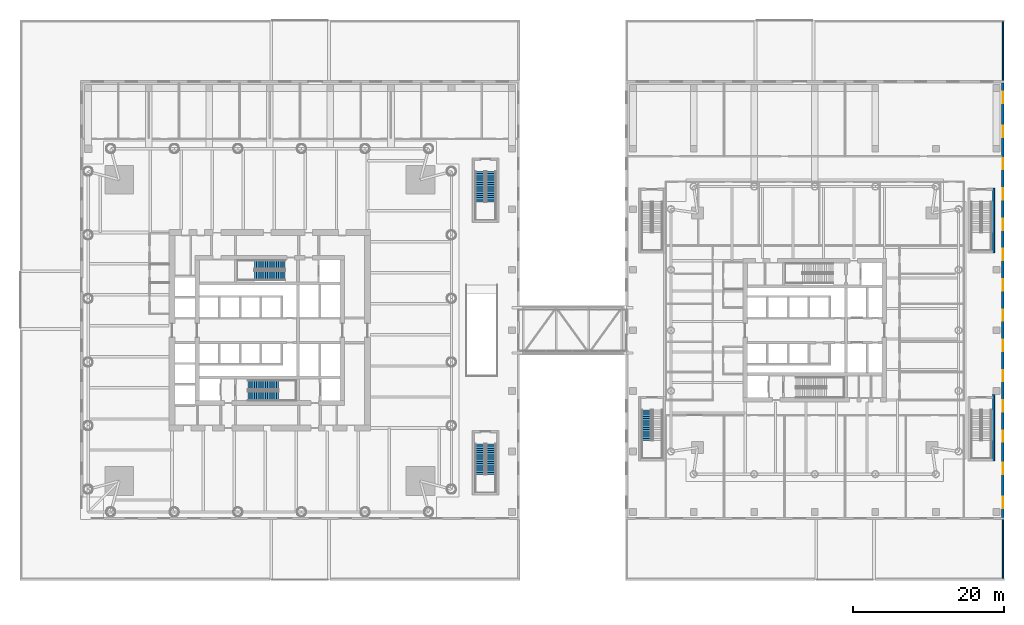
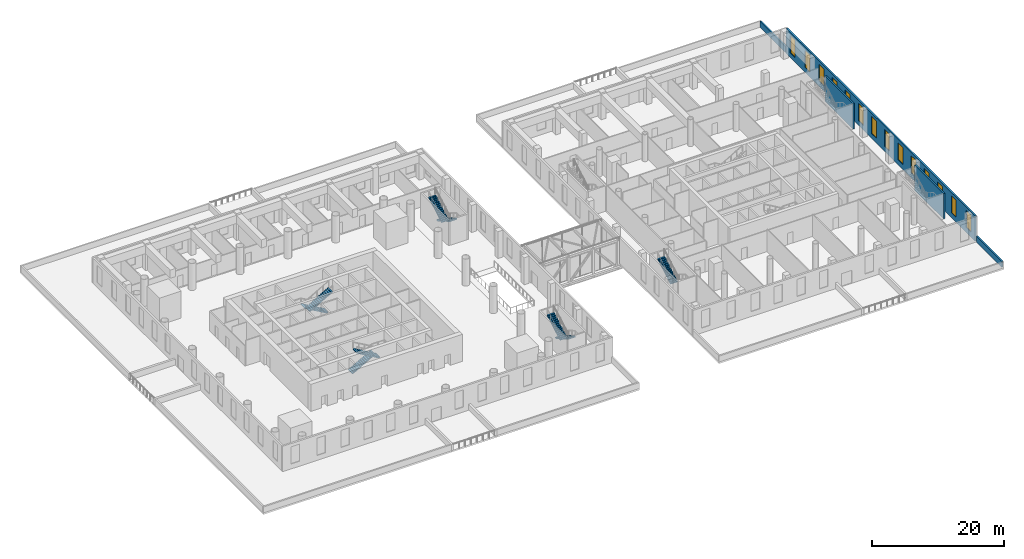
# One storey, part 19 of 23: 14 windows, 9 stair flights, 5 walls, 14 openings, 5 elements without a shape of their own.
"""IFC4 building model written with IfcOpenShell, lengths in metres."""

from ifc_helpers import new_model, si_unit, direction, frame, frame_2d, origin, place, context, subcontext, project, spatial, polyline, rectangle, outline, extrude, material, layer, layer_set, type_object, element, fill, aggregate, save


model = new_model("IFC4")

# Units and contexts
model_context = context("Model", 3, precision=1e-05, world=origin(), true_north=direction((0.0, 1.0)))
body_context = subcontext(model_context, "Body", "Model", "MODEL_VIEW")
ifc_project = project(units=[si_unit("LENGTHUNIT", "METRE"), si_unit("AREAUNIT", "SQUARE_METRE"), si_unit("VOLUMEUNIT", "CUBIC_METRE"), si_unit("PLANEANGLEUNIT", "RADIAN"), si_unit("MASSUNIT", "GRAM", prefix="KILO")], contexts=[model_context])

# Site, building, storey
site_placement = place(None, origin())
site = spatial("IfcSite", under=ifc_project, at=site_placement, CompositionType="ELEMENT")
building_placement = place(site_placement, origin())
building = spatial("IfcBuilding", under=site, at=building_placement, Name="Ostroluk Exchange", CompositionType="ELEMENT")
storey_placement = place(building_placement, frame((0.0, 0.0, 11.0)))
storey = spatial("IfcBuildingStorey", under=building, at=storey_placement, Name="L02", CompositionType="ELEMENT", Elevation=11.0)

# Walls
ifc_material_1 = material(Name="Concrete blockwork", Category="masonry")
ifc_layer_1 = layer(ifc_material_1, 0.25)
ifc_layer_set_1 = layer_set([ifc_layer_1], Name="Blockwork stair enclosure wall 250")
wall_type_1 = type_object("IfcWallType", Name="Blockwork stair enclosure wall 250", PredefinedType="SOLIDWALL", material=ifc_layer_set_1)
wall_1_placement = place(storey_placement, frame((140.625, 28.75, 0.0), z_axis=(0.0, 0.0, 1.0), x_axis=(0.0, 1.0, 0.0)))
element("IfcWall", 1, at=wall_1_placement, inside=storey, type_object=wall_type_1, Name="Stair PS7 enclosure wall", PredefinedType="SOLIDWALL", context=body_context, shape_type="SweptSolid", body=[
    extrude(rectangle(XDim=8.800048828125, YDim=0.25, at=frame_2d((4.39990234375, 0.0))), origin(), (0.0, 0.0, 1.0), 4.699951171875),
])
wall_2_placement = place(storey_placement, frame((140.625, 56.25, 0.0), z_axis=(0.0, 0.0, 1.0), x_axis=(0.0, 1.0, 0.0)))
element("IfcWall", 2, at=wall_2_placement, inside=storey, type_object=wall_type_1, Name="Stair PS8 enclosure wall", PredefinedType="SOLIDWALL", context=body_context, shape_type="SweptSolid", body=[
    extrude(rectangle(XDim=8.5, YDim=0.25, at=frame_2d((4.25, 0.0))), origin(), (0.0, 0.0, 1.0), 4.699951171875),
])
ifc_material_2 = material(Name="Limestone", Category="masonry")
ifc_layer_2 = layer(ifc_material_2, 0.25)
ifc_layer_set_2 = layer_set([ifc_layer_2], Name="Green roof parapet 250")
wall_type_2 = type_object("IfcWallType", Name="Green roof parapet 250", PredefinedType="PARAPET", material=ifc_layer_set_2)
for number, where, z_axis, x_axis, name in (
    (3, (141.875, 13.25, 0.0), (0.0, 0.0, 1.0), (0.0, 1.0, 0.0), "Green roof parapet L02 2"),
    (4, (141.875, 79.010009765625, 0.0), (0.0, 0.0, 1.0), (0.0, 1.0, 0.0), "Green roof parapet L02 2"),
):
    element("IfcWall", number, at=place(storey_placement, frame(where, z_axis=z_axis, x_axis=x_axis)), inside=storey, type_object=wall_type_2, Name=name, PredefinedType="PARAPET", context=body_context, shape_type="SweptSolid", body=[
        extrude(rectangle(XDim=7.739990234375, YDim=0.25, at=frame_2d((3.8701171875, 0.0))), origin(), (0.0, 0.0, 1.0), 1.10009765625),
    ])

# Wall, openings, windows
ifc_material_3 = material(Name="Limestone", Category="masonry")
ifc_layer_3 = layer(ifc_material_3, 0.300048828125)
ifc_layer_set_3 = layer_set([ifc_layer_3], Name="Limestone facade wall 300")
wall_type_3 = type_object("IfcWallType", Name="Limestone facade wall 300", PredefinedType="SOLIDWALL", material=ifc_layer_set_3)
wall_3_placement = place(storey_placement, frame((141.85009765625, 21.300048828125, 0.0), z_axis=(0.0, 0.0, 1.0), x_axis=(0.0, 1.0, 0.0)))
wall_3 = element("IfcWall", 5, at=wall_3_placement, inside=storey, type_object=wall_type_3, Name="Podium east E wall L02 1a", PredefinedType="SOLIDWALL", context=body_context, shape_type="SweptSolid", body=[
    extrude(rectangle(XDim=57.39990234375, YDim=0.300048828125, at=frame_2d((28.699951171875, 0.0))), origin(), (0.0, 0.0, 1.0), 4.699951171875),
])
opening_1_placement = place(wall_3_placement, frame((1.199951171875, 0.0, 0.89990234375)))
opening_1 = element("IfcOpeningElement", 6, at=opening_1_placement, cuts=wall_3, Name="Opening WN-L2", PredefinedType="OPENING", context=body_context, shape_type="SweptSolid", body=[
    extrude(rectangle(XDim=1.5, YDim=3.199951171875, at=frame_2d((0.75, 1.60009765625))), frame((0.0, 0.159912109375, 0.0), z_axis=(0.0, -1.0, 0.0), x_axis=(1.0, 0.0, 0.0)), (0.0, 0.0, 1.0), 0.320068359375),
])
opening_2_placement = place(wall_3_placement, frame((5.699951171875, 0.0, 0.89990234375)))
opening_2 = element("IfcOpeningElement", 7, at=opening_2_placement, cuts=wall_3, Name="Opening WN-L2", PredefinedType="OPENING", context=body_context, shape_type="SweptSolid", body=[
    extrude(rectangle(XDim=1.5, YDim=3.199951171875, at=frame_2d((0.75, 1.60009765625))), frame((0.0, 0.159912109375, 0.0), z_axis=(0.0, -1.0, 0.0), x_axis=(1.0, 0.0, 0.0)), (0.0, 0.0, 1.0), 0.320068359375),
])
opening_3_placement = place(wall_3_placement, frame((9.949951171875, 0.0, 0.89990234375)))
opening_3 = element("IfcOpeningElement", 8, at=opening_3_placement, cuts=wall_3, Name="Opening WN-L2", PredefinedType="OPENING", context=body_context, shape_type="SweptSolid", body=[
    extrude(rectangle(XDim=1.5, YDim=3.199951171875, at=frame_2d((0.75, 1.60009765625))), frame((0.0, 0.159912109375, 0.0), z_axis=(0.0, -1.0, 0.0), x_axis=(1.0, 0.0, 0.0)), (0.0, 0.0, 1.0), 0.320068359375),
])
opening_4_placement = place(wall_3_placement, frame((13.949951171875, 0.0, 0.89990234375)))
opening_4 = element("IfcOpeningElement", 9, at=opening_4_placement, cuts=wall_3, Name="Opening WN-L2", PredefinedType="OPENING", context=body_context, shape_type="SweptSolid", body=[
    extrude(rectangle(XDim=1.5, YDim=3.199951171875, at=frame_2d((0.75, 1.60009765625))), frame((0.0, 0.159912109375, 0.0), z_axis=(0.0, -1.0, 0.0), x_axis=(1.0, 0.0, 0.0)), (0.0, 0.0, 1.0), 0.320068359375),
])
opening_5_placement = place(wall_3_placement, frame((17.949951171875, 0.0, 0.89990234375)))
opening_5 = element("IfcOpeningElement", 10, at=opening_5_placement, cuts=wall_3, Name="Opening WN-L2", PredefinedType="OPENING", context=body_context, shape_type="SweptSolid", body=[
    extrude(rectangle(XDim=1.5, YDim=3.199951171875, at=frame_2d((0.75, 1.60009765625))), frame((0.0, 0.159912109375, 0.0), z_axis=(0.0, -1.0, 0.0), x_axis=(1.0, 0.0, 0.0)), (0.0, 0.0, 1.0), 0.320068359375),
])
opening_6_placement = place(wall_3_placement, frame((21.949951171875, 0.0, 0.89990234375)))
opening_6 = element("IfcOpeningElement", 11, at=opening_6_placement, cuts=wall_3, Name="Opening WN-L2", PredefinedType="OPENING", context=body_context, shape_type="SweptSolid", body=[
    extrude(rectangle(XDim=1.5, YDim=3.199951171875, at=frame_2d((0.75, 1.60009765625))), frame((0.0, 0.159912109375, 0.0), z_axis=(0.0, -1.0, 0.0), x_axis=(1.0, 0.0, 0.0)), (0.0, 0.0, 1.0), 0.320068359375),
])
opening_7_placement = place(wall_3_placement, frame((25.949951171875, 0.0, 0.89990234375)))
opening_7 = element("IfcOpeningElement", 12, at=opening_7_placement, cuts=wall_3, Name="Opening WN-L2", PredefinedType="OPENING", context=body_context, shape_type="SweptSolid", body=[
    extrude(rectangle(XDim=1.5, YDim=3.199951171875, at=frame_2d((0.75, 1.60009765625))), frame((0.0, 0.159912109375, 0.0), z_axis=(0.0, -1.0, 0.0), x_axis=(1.0, 0.0, 0.0)), (0.0, 0.0, 1.0), 0.320068359375),
])
opening_8_placement = place(wall_3_placement, frame((29.949951171875, 0.0, 0.89990234375)))
opening_8 = element("IfcOpeningElement", 13, at=opening_8_placement, cuts=wall_3, Name="Opening WN-L2", PredefinedType="OPENING", context=body_context, shape_type="SweptSolid", body=[
    extrude(rectangle(XDim=1.5, YDim=3.199951171875, at=frame_2d((0.75, 1.60009765625))), frame((0.0, 0.159912109375, 0.0), z_axis=(0.0, -1.0, 0.0), x_axis=(1.0, 0.0, 0.0)), (0.0, 0.0, 1.0), 0.320068359375),
])
opening_9_placement = place(wall_3_placement, frame((33.949951171875, 0.0, 0.89990234375)))
opening_9 = element("IfcOpeningElement", 14, at=opening_9_placement, cuts=wall_3, Name="Opening WN-L2", PredefinedType="OPENING", context=body_context, shape_type="SweptSolid", body=[
    extrude(rectangle(XDim=1.5, YDim=3.199951171875, at=frame_2d((0.75, 1.60009765625))), frame((0.0, 0.159912109375, 0.0), z_axis=(0.0, -1.0, 0.0), x_axis=(1.0, 0.0, 0.0)), (0.0, 0.0, 1.0), 0.320068359375),
])
opening_10_placement = place(wall_3_placement, frame((37.949951171875, 0.0, 0.89990234375)))
opening_10 = element("IfcOpeningElement", 15, at=opening_10_placement, cuts=wall_3, Name="Opening WN-L2", PredefinedType="OPENING", context=body_context, shape_type="SweptSolid", body=[
    extrude(rectangle(XDim=1.5, YDim=3.199951171875, at=frame_2d((0.75, 1.60009765625))), frame((0.0, 0.159912109375, 0.0), z_axis=(0.0, -1.0, 0.0), x_axis=(1.0, 0.0, 0.0)), (0.0, 0.0, 1.0), 0.320068359375),
])
opening_11_placement = place(wall_3_placement, frame((41.949951171875, 0.0, 0.89990234375)))
opening_11 = element("IfcOpeningElement", 16, at=opening_11_placement, cuts=wall_3, Name="Opening WN-L2", PredefinedType="OPENING", context=body_context, shape_type="SweptSolid", body=[
    extrude(rectangle(XDim=1.5, YDim=3.199951171875, at=frame_2d((0.75, 1.60009765625))), frame((0.0, 0.159912109375, 0.0), z_axis=(0.0, -1.0, 0.0), x_axis=(1.0, 0.0, 0.0)), (0.0, 0.0, 1.0), 0.320068359375),
])
opening_12_placement = place(wall_3_placement, frame((45.949951171875, 0.0, 0.89990234375)))
opening_12 = element("IfcOpeningElement", 17, at=opening_12_placement, cuts=wall_3, Name="Opening WN-L2", PredefinedType="OPENING", context=body_context, shape_type="SweptSolid", body=[
    extrude(rectangle(XDim=1.5, YDim=3.199951171875, at=frame_2d((0.75, 1.60009765625))), frame((0.0, 0.159912109375, 0.0), z_axis=(0.0, -1.0, 0.0), x_axis=(1.0, 0.0, 0.0)), (0.0, 0.0, 1.0), 0.320068359375),
])
opening_13_placement = place(wall_3_placement, frame((50.199951171875, 0.0, 0.89990234375)))
opening_13 = element("IfcOpeningElement", 18, at=opening_13_placement, cuts=wall_3, Name="Opening WN-L2", PredefinedType="OPENING", context=body_context, shape_type="SweptSolid", body=[
    extrude(rectangle(XDim=1.5, YDim=3.199951171875, at=frame_2d((0.75, 1.60009765625))), frame((0.0, 0.159912109375, 0.0), z_axis=(0.0, -1.0, 0.0), x_axis=(1.0, 0.0, 0.0)), (0.0, 0.0, 1.0), 0.320068359375),
])
opening_14_placement = place(wall_3_placement, frame((54.699951171875, 0.0, 0.89990234375)))
opening_14 = element("IfcOpeningElement", 19, at=opening_14_placement, cuts=wall_3, Name="Opening WN-L2", PredefinedType="OPENING", context=body_context, shape_type="SweptSolid", body=[
    extrude(rectangle(XDim=1.5, YDim=3.199951171875, at=frame_2d((0.75, 1.60009765625))), frame((0.0, 0.159912109375, 0.0), z_axis=(0.0, -1.0, 0.0), x_axis=(1.0, 0.0, 0.0)), (0.0, 0.0, 1.0), 0.320068359375),
])
ifc_material_4 = material(Name="Laminated clear glass", Category="glass")
window_type = type_object("IfcWindowType", Name="Podium lancet window 1500 x 3200", PartitioningType="DOUBLE_PANEL_VERTICAL", PredefinedType="WINDOW", material=ifc_material_4)
window_1_placement = place(opening_1_placement, origin())
window_1 = element("IfcWindow", 20, at=window_1_placement, inside=storey, type_object=window_type, Name="Podium east lancet window E L02 1.1", OverallHeight=3.199951171875, OverallWidth=1.5, PartitioningType="SINGLE_PANEL", PredefinedType="WINDOW", context=body_context, shape_type="SweptSolid", body=[
    extrude(rectangle(XDim=1.5, YDim=3.199951171875, at=frame_2d((0.75, 1.60009765625))), frame((0.0, 0.030029296875, 0.0), z_axis=(0.0, -1.0, 0.0), x_axis=(1.0, 0.0, 0.0)), (0.0, 0.0, 1.0), 0.06005859375),
])
fill(opening_1, window_1)
window_2_placement = place(opening_2_placement, origin())
window_2 = element("IfcWindow", 21, at=window_2_placement, inside=storey, type_object=window_type, Name="Podium east lancet window E L02 1.2", OverallHeight=3.199951171875, OverallWidth=1.5, PartitioningType="SINGLE_PANEL", PredefinedType="WINDOW", context=body_context, shape_type="SweptSolid", body=[
    extrude(rectangle(XDim=1.5, YDim=3.199951171875, at=frame_2d((0.75, 1.60009765625))), frame((0.0, 0.030029296875, 0.0), z_axis=(0.0, -1.0, 0.0), x_axis=(1.0, 0.0, 0.0)), (0.0, 0.0, 1.0), 0.06005859375),
])
fill(opening_2, window_2)
window_3_placement = place(opening_3_placement, origin())
window_3 = element("IfcWindow", 22, at=window_3_placement, inside=storey, type_object=window_type, Name="Podium east lancet window E L02 2.1", OverallHeight=3.199951171875, OverallWidth=1.5, PartitioningType="SINGLE_PANEL", PredefinedType="WINDOW", context=body_context, shape_type="SweptSolid", body=[
    extrude(rectangle(XDim=1.5, YDim=3.199951171875, at=frame_2d((0.75, 1.60009765625))), frame((0.0, 0.030029296875, 0.0), z_axis=(0.0, -1.0, 0.0), x_axis=(1.0, 0.0, 0.0)), (0.0, 0.0, 1.0), 0.06005859375),
])
fill(opening_3, window_3)
window_4_placement = place(opening_4_placement, origin())
window_4 = element("IfcWindow", 23, at=window_4_placement, inside=storey, type_object=window_type, Name="Podium east lancet window E L02 2.2", OverallHeight=3.199951171875, OverallWidth=1.5, PartitioningType="SINGLE_PANEL", PredefinedType="WINDOW", context=body_context, shape_type="SweptSolid", body=[
    extrude(rectangle(XDim=1.5, YDim=3.199951171875, at=frame_2d((0.75, 1.60009765625))), frame((0.0, 0.030029296875, 0.0), z_axis=(0.0, -1.0, 0.0), x_axis=(1.0, 0.0, 0.0)), (0.0, 0.0, 1.0), 0.06005859375),
])
fill(opening_4, window_4)
window_5_placement = place(opening_5_placement, origin())
window_5 = element("IfcWindow", 24, at=window_5_placement, inside=storey, type_object=window_type, Name="Podium east lancet window E L02 3.1", OverallHeight=3.199951171875, OverallWidth=1.5, PartitioningType="SINGLE_PANEL", PredefinedType="WINDOW", context=body_context, shape_type="SweptSolid", body=[
    extrude(rectangle(XDim=1.5, YDim=3.199951171875, at=frame_2d((0.75, 1.60009765625))), frame((0.0, 0.030029296875, 0.0), z_axis=(0.0, -1.0, 0.0), x_axis=(1.0, 0.0, 0.0)), (0.0, 0.0, 1.0), 0.06005859375),
])
fill(opening_5, window_5)
window_6_placement = place(opening_6_placement, origin())
window_6 = element("IfcWindow", 25, at=window_6_placement, inside=storey, type_object=window_type, Name="Podium east lancet window E L02 3.2", OverallHeight=3.199951171875, OverallWidth=1.5, PartitioningType="SINGLE_PANEL", PredefinedType="WINDOW", context=body_context, shape_type="SweptSolid", body=[
    extrude(rectangle(XDim=1.5, YDim=3.199951171875, at=frame_2d((0.75, 1.60009765625))), frame((0.0, 0.030029296875, 0.0), z_axis=(0.0, -1.0, 0.0), x_axis=(1.0, 0.0, 0.0)), (0.0, 0.0, 1.0), 0.06005859375),
])
fill(opening_6, window_6)
window_7_placement = place(opening_7_placement, origin())
window_7 = element("IfcWindow", 26, at=window_7_placement, inside=storey, type_object=window_type, Name="Podium east lancet window E L02 4.1", OverallHeight=3.199951171875, OverallWidth=1.5, PartitioningType="SINGLE_PANEL", PredefinedType="WINDOW", context=body_context, shape_type="SweptSolid", body=[
    extrude(rectangle(XDim=1.5, YDim=3.199951171875, at=frame_2d((0.75, 1.60009765625))), frame((0.0, 0.030029296875, 0.0), z_axis=(0.0, -1.0, 0.0), x_axis=(1.0, 0.0, 0.0)), (0.0, 0.0, 1.0), 0.06005859375),
])
fill(opening_7, window_7)
window_8_placement = place(opening_8_placement, origin())
window_8 = element("IfcWindow", 27, at=window_8_placement, inside=storey, type_object=window_type, Name="Podium east lancet window E L02 4.2", OverallHeight=3.199951171875, OverallWidth=1.5, PartitioningType="SINGLE_PANEL", PredefinedType="WINDOW", context=body_context, shape_type="SweptSolid", body=[
    extrude(rectangle(XDim=1.5, YDim=3.199951171875, at=frame_2d((0.75, 1.60009765625))), frame((0.0, 0.030029296875, 0.0), z_axis=(0.0, -1.0, 0.0), x_axis=(1.0, 0.0, 0.0)), (0.0, 0.0, 1.0), 0.06005859375),
])
fill(opening_8, window_8)
window_9_placement = place(opening_9_placement, origin())
window_9 = element("IfcWindow", 28, at=window_9_placement, inside=storey, type_object=window_type, Name="Podium east lancet window E L02 5.1", OverallHeight=3.199951171875, OverallWidth=1.5, PartitioningType="SINGLE_PANEL", PredefinedType="WINDOW", context=body_context, shape_type="SweptSolid", body=[
    extrude(rectangle(XDim=1.5, YDim=3.199951171875, at=frame_2d((0.75, 1.60009765625))), frame((0.0, 0.030029296875, 0.0), z_axis=(0.0, -1.0, 0.0), x_axis=(1.0, 0.0, 0.0)), (0.0, 0.0, 1.0), 0.06005859375),
])
fill(opening_9, window_9)
window_10_placement = place(opening_10_placement, origin())
window_10 = element("IfcWindow", 29, at=window_10_placement, inside=storey, type_object=window_type, Name="Podium east lancet window E L02 5.2", OverallHeight=3.199951171875, OverallWidth=1.5, PartitioningType="SINGLE_PANEL", PredefinedType="WINDOW", context=body_context, shape_type="SweptSolid", body=[
    extrude(rectangle(XDim=1.5, YDim=3.199951171875, at=frame_2d((0.75, 1.60009765625))), frame((0.0, 0.030029296875, 0.0), z_axis=(0.0, -1.0, 0.0), x_axis=(1.0, 0.0, 0.0)), (0.0, 0.0, 1.0), 0.06005859375),
])
fill(opening_10, window_10)
window_11_placement = place(opening_11_placement, origin())
window_11 = element("IfcWindow", 30, at=window_11_placement, inside=storey, type_object=window_type, Name="Podium east lancet window E L02 6.1", OverallHeight=3.199951171875, OverallWidth=1.5, PartitioningType="SINGLE_PANEL", PredefinedType="WINDOW", context=body_context, shape_type="SweptSolid", body=[
    extrude(rectangle(XDim=1.5, YDim=3.199951171875, at=frame_2d((0.75, 1.60009765625))), frame((0.0, 0.030029296875, 0.0), z_axis=(0.0, -1.0, 0.0), x_axis=(1.0, 0.0, 0.0)), (0.0, 0.0, 1.0), 0.06005859375),
])
fill(opening_11, window_11)
window_12_placement = place(opening_12_placement, origin())
window_12 = element("IfcWindow", 31, at=window_12_placement, inside=storey, type_object=window_type, Name="Podium east lancet window E L02 6.2", OverallHeight=3.199951171875, OverallWidth=1.5, PartitioningType="SINGLE_PANEL", PredefinedType="WINDOW", context=body_context, shape_type="SweptSolid", body=[
    extrude(rectangle(XDim=1.5, YDim=3.199951171875, at=frame_2d((0.75, 1.60009765625))), frame((0.0, 0.030029296875, 0.0), z_axis=(0.0, -1.0, 0.0), x_axis=(1.0, 0.0, 0.0)), (0.0, 0.0, 1.0), 0.06005859375),
])
fill(opening_12, window_12)
window_13_placement = place(opening_13_placement, origin())
window_13 = element("IfcWindow", 32, at=window_13_placement, inside=storey, type_object=window_type, Name="Podium east lancet window E L02 7.1", OverallHeight=3.199951171875, OverallWidth=1.5, PartitioningType="SINGLE_PANEL", PredefinedType="WINDOW", context=body_context, shape_type="SweptSolid", body=[
    extrude(rectangle(XDim=1.5, YDim=3.199951171875, at=frame_2d((0.75, 1.60009765625))), frame((0.0, 0.030029296875, 0.0), z_axis=(0.0, -1.0, 0.0), x_axis=(1.0, 0.0, 0.0)), (0.0, 0.0, 1.0), 0.06005859375),
])
fill(opening_13, window_13)
window_14_placement = place(opening_14_placement, origin())
window_14 = element("IfcWindow", 33, at=window_14_placement, inside=storey, type_object=window_type, Name="Podium east lancet window E L02 7.2", OverallHeight=3.199951171875, OverallWidth=1.5, PartitioningType="SINGLE_PANEL", PredefinedType="WINDOW", context=body_context, shape_type="SweptSolid", body=[
    extrude(rectangle(XDim=1.5, YDim=3.199951171875, at=frame_2d((0.75, 1.60009765625))), frame((0.0, 0.030029296875, 0.0), z_axis=(0.0, -1.0, 0.0), x_axis=(1.0, 0.0, 0.0)), (0.0, 0.0, 1.0), 0.06005859375),
])
fill(opening_14, window_14)

# Stair, stair flights
ifc_material_5 = material(Name="Concrete C30/37", Category="concrete")
stair_type = type_object("IfcStairType", Name="Exit stair half turn 5000", PredefinedType="HALF_TURN_STAIR", material=ifc_material_5)
stair_1_placement = place(storey_placement, origin())
stair_1 = element("IfcStair", 34, at=stair_1_placement, inside=storey, type_object=stair_type, Name="Stair T1-S1 L02", PredefinedType="HALF_TURN_STAIR")
ifc_material_6 = material(Name="Concrete C30/37", Category="concrete")
stair_flight_type = type_object("IfcStairFlightType", Name="Stair flight 15 risers 166.7 x 290", PredefinedType="STRAIGHT", material=ifc_material_6)
stair_flight_1_placement = place(storey_placement, frame((42.10009765625, 38.77490234375, 0.0), z_axis=(0.0, 0.0, 1.0), x_axis=(1.0, 0.0, 0.0)))
stair_flight_1 = element("IfcStairFlight", 35, at=stair_flight_1_placement, type_object=stair_flight_type, Name="T1-S1 flight 1", NumberOfRisers=15, NumberOfTreads=14, PredefinedType="STRAIGHT", RiserHeight=0.166666667, TreadLength=0.29, context=body_context, shape_type="SweptSolid", body=[
    extrude(outline(polyline([(0.0, 0.0), (0.0, 0.166748046875), (0.2900390625, 0.166748046875), (0.2900390625, 0.333251953125), (0.580078125, 0.333251953125), (0.580078125, 0.5), (0.8701171875, 0.5), (0.8701171875, 0.666748046875), (1.159912109375, 0.666748046875), (1.159912109375, 0.833251953125), (1.449951171875, 0.833251953125), (1.449951171875, 1.0), (1.739990234375, 1.0), (1.739990234375, 1.166748046875), (2.030029296875, 1.166748046875), (2.030029296875, 1.333251953125), (2.320068359375, 1.333251953125), (2.320068359375, 1.5), (2.610107421875, 1.5), (2.610107421875, 1.666748046875), (2.89990234375, 1.666748046875), (2.89990234375, 1.833251953125), (3.18994140625, 1.833251953125), (3.18994140625, 2.0), (3.47998046875, 2.0), (3.47998046875, 2.166748046875), (3.77001953125, 2.166748046875), (3.77001953125, 2.333251953125), (4.06005859375, 2.333251953125), (4.06005859375, 2.5), (4.06005859375, 2.160400390625), (0.30078125, 0.0), (0.0, 0.0)])), frame((0.0, 0.625, 0.0), z_axis=(0.0, -1.0, 0.0), x_axis=(1.0, 0.0, 0.0)), (0.0, 0.0, 1.0), 1.25),
])
stair_flight_2_placement = place(storey_placement, frame((46.159912109375, 37.324951171875, 2.5), z_axis=(0.0, 0.0, 1.0), x_axis=(-1.0, 0.0, 0.0)))
stair_flight_2 = element("IfcStairFlight", 36, at=stair_flight_2_placement, type_object=stair_flight_type, Name="T1-S1 flight 2", NumberOfRisers=15, NumberOfTreads=14, PredefinedType="STRAIGHT", RiserHeight=0.166666667, TreadLength=0.29, context=body_context, shape_type="SweptSolid", body=[
    extrude(outline(polyline([(0.0, 0.0), (0.0, 0.166748046875), (0.2900390625, 0.166748046875), (0.2900390625, 0.333251953125), (0.580078125, 0.333251953125), (0.580078125, 0.5), (0.8701171875, 0.5), (0.8701171875, 0.666748046875), (1.159912109375, 0.666748046875), (1.159912109375, 0.833251953125), (1.449951171875, 0.833251953125), (1.449951171875, 1.0), (1.739990234375, 1.0), (1.739990234375, 1.166748046875), (2.030029296875, 1.166748046875), (2.030029296875, 1.333251953125), (2.320068359375, 1.333251953125), (2.320068359375, 1.5), (2.610107421875, 1.5), (2.610107421875, 1.666748046875), (2.89990234375, 1.666748046875), (2.89990234375, 1.833251953125), (3.18994140625, 1.833251953125), (3.18994140625, 2.0), (3.47998046875, 2.0), (3.47998046875, 2.166748046875), (3.77001953125, 2.166748046875), (3.77001953125, 2.333251953125), (4.06005859375, 2.333251953125), (4.06005859375, 2.5), (4.06005859375, 2.160400390625), (0.30078125, 0.0), (0.0, 0.0)])), frame((0.0, 0.625, 0.0), z_axis=(0.0, -1.0, 0.0), x_axis=(1.0, 0.0, 0.0)), (0.0, 0.0, 1.0), 1.25),
])
aggregate(stair_1, [stair_flight_1, stair_flight_2])

stair_2_placement = place(storey_placement, origin())
stair_2 = element("IfcStair", 37, at=stair_2_placement, inside=storey, type_object=stair_type, Name="Stair T1-S2 L02", PredefinedType="HALF_TURN_STAIR")
stair_flight_3_placement = place(storey_placement, frame((47.030029296875, 54.675048828125, 0.0), z_axis=(0.0, 0.0, 1.0), x_axis=(-1.0, 0.0, 0.0)))
stair_flight_3 = element("IfcStairFlight", 38, at=stair_flight_3_placement, type_object=stair_flight_type, Name="T1-S2 flight 1", NumberOfRisers=15, NumberOfTreads=14, PredefinedType="STRAIGHT", RiserHeight=0.166666667, TreadLength=0.29, context=body_context, shape_type="SweptSolid", body=[
    extrude(outline(polyline([(0.0, 0.0), (0.0, 0.166748046875), (0.2900390625, 0.166748046875), (0.2900390625, 0.333251953125), (0.580078125, 0.333251953125), (0.580078125, 0.5), (0.8701171875, 0.5), (0.8701171875, 0.666748046875), (1.159912109375, 0.666748046875), (1.159912109375, 0.833251953125), (1.449951171875, 0.833251953125), (1.449951171875, 1.0), (1.739990234375, 1.0), (1.739990234375, 1.166748046875), (2.030029296875, 1.166748046875), (2.030029296875, 1.333251953125), (2.320068359375, 1.333251953125), (2.320068359375, 1.5), (2.610107421875, 1.5), (2.610107421875, 1.666748046875), (2.89990234375, 1.666748046875), (2.89990234375, 1.833251953125), (3.18994140625, 1.833251953125), (3.18994140625, 2.0), (3.47998046875, 2.0), (3.47998046875, 2.166748046875), (3.77001953125, 2.166748046875), (3.77001953125, 2.333251953125), (4.06005859375, 2.333251953125), (4.06005859375, 2.5), (4.06005859375, 2.160400390625), (0.30078125, 0.0), (0.0, 0.0)])), frame((0.0, 0.625, 0.0), z_axis=(0.0, -1.0, 0.0), x_axis=(1.0, 0.0, 0.0)), (0.0, 0.0, 1.0), 1.25),
])
stair_flight_4_placement = place(storey_placement, frame((42.969970703125, 53.22509765625, 2.5), z_axis=(0.0, 0.0, 1.0), x_axis=(1.0, 0.0, 0.0)))
stair_flight_4 = element("IfcStairFlight", 39, at=stair_flight_4_placement, type_object=stair_flight_type, Name="T1-S2 flight 2", NumberOfRisers=15, NumberOfTreads=14, PredefinedType="STRAIGHT", RiserHeight=0.166666667, TreadLength=0.29, context=body_context, shape_type="SweptSolid", body=[
    extrude(outline(polyline([(0.0, 0.0), (0.0, 0.166748046875), (0.2900390625, 0.166748046875), (0.2900390625, 0.333251953125), (0.580078125, 0.333251953125), (0.580078125, 0.5), (0.8701171875, 0.5), (0.8701171875, 0.666748046875), (1.159912109375, 0.666748046875), (1.159912109375, 0.833251953125), (1.449951171875, 0.833251953125), (1.449951171875, 1.0), (1.739990234375, 1.0), (1.739990234375, 1.166748046875), (2.030029296875, 1.166748046875), (2.030029296875, 1.333251953125), (2.320068359375, 1.333251953125), (2.320068359375, 1.5), (2.610107421875, 1.5), (2.610107421875, 1.666748046875), (2.89990234375, 1.666748046875), (2.89990234375, 1.833251953125), (3.18994140625, 1.833251953125), (3.18994140625, 2.0), (3.47998046875, 2.0), (3.47998046875, 2.166748046875), (3.77001953125, 2.166748046875), (3.77001953125, 2.333251953125), (4.06005859375, 2.333251953125), (4.06005859375, 2.5), (4.06005859375, 2.160400390625), (0.30078125, 0.0), (0.0, 0.0)])), frame((0.0, 0.625, 0.0), z_axis=(0.0, -1.0, 0.0), x_axis=(1.0, 0.0, 0.0)), (0.0, 0.0, 1.0), 1.25),
])
aggregate(stair_2, [stair_flight_3, stair_flight_4])

stair_3_placement = place(storey_placement, origin())
stair_3 = element("IfcStair", 40, at=stair_3_placement, inside=storey, type_object=stair_type, Name="Stair PS3 L02", PredefinedType="HALF_TURN_STAIR")
stair_flight_5_placement = place(storey_placement, frame((74.22509765625, 31.0, 0.0), z_axis=(0.0, 0.0, 1.0), x_axis=(0.0, -1.0, 0.0)))
stair_flight_5 = element("IfcStairFlight", 41, at=stair_flight_5_placement, type_object=stair_flight_type, Name="PS3 flight 1", NumberOfRisers=15, NumberOfTreads=14, PredefinedType="STRAIGHT", RiserHeight=0.166666667, TreadLength=0.29, context=body_context, shape_type="SweptSolid", body=[
    extrude(outline(polyline([(0.0, 0.0), (0.0, 0.166748046875), (0.2900390625, 0.166748046875), (0.2900390625, 0.333251953125), (0.580078125, 0.333251953125), (0.580078125, 0.5), (0.8701171875, 0.5), (0.8701171875, 0.666748046875), (1.159912109375, 0.666748046875), (1.159912109375, 0.833251953125), (1.449951171875, 0.833251953125), (1.449951171875, 1.0), (1.739990234375, 1.0), (1.739990234375, 1.166748046875), (2.030029296875, 1.166748046875), (2.030029296875, 1.333251953125), (2.320068359375, 1.333251953125), (2.320068359375, 1.5), (2.610107421875, 1.5), (2.610107421875, 1.666748046875), (2.89990234375, 1.666748046875), (2.89990234375, 1.833251953125), (3.18994140625, 1.833251953125), (3.18994140625, 2.0), (3.47998046875, 2.0), (3.47998046875, 2.166748046875), (3.77001953125, 2.166748046875), (3.77001953125, 2.333251953125), (4.06005859375, 2.333251953125), (4.06005859375, 2.5), (4.06005859375, 2.160400390625), (0.30078125, 0.0), (0.0, 0.0)])), frame((0.0, 0.625, 0.0), z_axis=(0.0, -1.0, 0.0), x_axis=(1.0, 0.0, 0.0)), (0.0, 0.0, 1.0), 1.25),
])
stair_flight_6_placement = place(storey_placement, frame((72.77490234375, 26.93994140625, 2.5), z_axis=(0.0, 0.0, 1.0), x_axis=(0.0, 1.0, 0.0)))
stair_flight_6 = element("IfcStairFlight", 42, at=stair_flight_6_placement, type_object=stair_flight_type, Name="PS3 flight 2", NumberOfRisers=15, NumberOfTreads=14, PredefinedType="STRAIGHT", RiserHeight=0.166666667, TreadLength=0.29, context=body_context, shape_type="SweptSolid", body=[
    extrude(outline(polyline([(0.0, 0.0), (0.0, 0.166748046875), (0.2900390625, 0.166748046875), (0.2900390625, 0.333251953125), (0.580078125, 0.333251953125), (0.580078125, 0.5), (0.8701171875, 0.5), (0.8701171875, 0.666748046875), (1.159912109375, 0.666748046875), (1.159912109375, 0.833251953125), (1.449951171875, 0.833251953125), (1.449951171875, 1.0), (1.739990234375, 1.0), (1.739990234375, 1.166748046875), (2.030029296875, 1.166748046875), (2.030029296875, 1.333251953125), (2.320068359375, 1.333251953125), (2.320068359375, 1.5), (2.610107421875, 1.5), (2.610107421875, 1.666748046875), (2.89990234375, 1.666748046875), (2.89990234375, 1.833251953125), (3.18994140625, 1.833251953125), (3.18994140625, 2.0), (3.47998046875, 2.0), (3.47998046875, 2.166748046875), (3.77001953125, 2.166748046875), (3.77001953125, 2.333251953125), (4.06005859375, 2.333251953125), (4.06005859375, 2.5), (4.06005859375, 2.160400390625), (0.30078125, 0.0), (0.0, 0.0)])), frame((0.0, 0.625, 0.0), z_axis=(0.0, -1.0, 0.0), x_axis=(1.0, 0.0, 0.0)), (0.0, 0.0, 1.0), 1.25),
])
aggregate(stair_3, [stair_flight_5, stair_flight_6])

stair_4_placement = place(storey_placement, origin())
stair_4 = element("IfcStair", 43, at=stair_4_placement, inside=storey, type_object=stair_type, Name="Stair PS4 L02", PredefinedType="HALF_TURN_STAIR")
stair_flight_7_placement = place(storey_placement, frame((74.22509765625, 67.0, 0.0), z_axis=(0.0, 0.0, 1.0), x_axis=(0.0, -1.0, 0.0)))
stair_flight_7 = element("IfcStairFlight", 44, at=stair_flight_7_placement, type_object=stair_flight_type, Name="PS4 flight 1", NumberOfRisers=15, NumberOfTreads=14, PredefinedType="STRAIGHT", RiserHeight=0.166666667, TreadLength=0.29, context=body_context, shape_type="SweptSolid", body=[
    extrude(outline(polyline([(0.0, 0.0), (0.0, 0.166748046875), (0.2900390625, 0.166748046875), (0.2900390625, 0.333251953125), (0.580078125, 0.333251953125), (0.580078125, 0.5), (0.8701171875, 0.5), (0.8701171875, 0.666748046875), (1.159912109375, 0.666748046875), (1.159912109375, 0.833251953125), (1.449951171875, 0.833251953125), (1.449951171875, 1.0), (1.739990234375, 1.0), (1.739990234375, 1.166748046875), (2.030029296875, 1.166748046875), (2.030029296875, 1.333251953125), (2.320068359375, 1.333251953125), (2.320068359375, 1.5), (2.610107421875, 1.5), (2.610107421875, 1.666748046875), (2.89990234375, 1.666748046875), (2.89990234375, 1.833251953125), (3.18994140625, 1.833251953125), (3.18994140625, 2.0), (3.47998046875, 2.0), (3.47998046875, 2.166748046875), (3.77001953125, 2.166748046875), (3.77001953125, 2.333251953125), (4.06005859375, 2.333251953125), (4.06005859375, 2.5), (4.06005859375, 2.160400390625), (0.30078125, 0.0), (0.0, 0.0)])), frame((0.0, 0.625, 0.0), z_axis=(0.0, -1.0, 0.0), x_axis=(1.0, 0.0, 0.0)), (0.0, 0.0, 1.0), 1.25),
])
stair_flight_8_placement = place(storey_placement, frame((72.77490234375, 62.93994140625, 2.5), z_axis=(0.0, 0.0, 1.0), x_axis=(0.0, 1.0, 0.0)))
stair_flight_8 = element("IfcStairFlight", 45, at=stair_flight_8_placement, type_object=stair_flight_type, Name="PS4 flight 2", NumberOfRisers=15, NumberOfTreads=14, PredefinedType="STRAIGHT", RiserHeight=0.166666667, TreadLength=0.29, context=body_context, shape_type="SweptSolid", body=[
    extrude(outline(polyline([(0.0, 0.0), (0.0, 0.166748046875), (0.2900390625, 0.166748046875), (0.2900390625, 0.333251953125), (0.580078125, 0.333251953125), (0.580078125, 0.5), (0.8701171875, 0.5), (0.8701171875, 0.666748046875), (1.159912109375, 0.666748046875), (1.159912109375, 0.833251953125), (1.449951171875, 0.833251953125), (1.449951171875, 1.0), (1.739990234375, 1.0), (1.739990234375, 1.166748046875), (2.030029296875, 1.166748046875), (2.030029296875, 1.333251953125), (2.320068359375, 1.333251953125), (2.320068359375, 1.5), (2.610107421875, 1.5), (2.610107421875, 1.666748046875), (2.89990234375, 1.666748046875), (2.89990234375, 1.833251953125), (3.18994140625, 1.833251953125), (3.18994140625, 2.0), (3.47998046875, 2.0), (3.47998046875, 2.166748046875), (3.77001953125, 2.166748046875), (3.77001953125, 2.333251953125), (4.06005859375, 2.333251953125), (4.06005859375, 2.5), (4.06005859375, 2.160400390625), (0.30078125, 0.0), (0.0, 0.0)])), frame((0.0, 0.625, 0.0), z_axis=(0.0, -1.0, 0.0), x_axis=(1.0, 0.0, 0.0)), (0.0, 0.0, 1.0), 1.25),
])
aggregate(stair_4, [stair_flight_7, stair_flight_8])

# Stair, stair flight
stair_5_placement = place(storey_placement, origin())
stair_5 = element("IfcStair", 46, at=stair_5_placement, inside=storey, type_object=stair_type, Name="Stair PS5 L02", PredefinedType="HALF_TURN_STAIR")
stair_flight_9_placement = place(storey_placement, frame((94.77490234375, 31.43994140625, 2.5), z_axis=(0.0, 0.0, 1.0), x_axis=(0.0, 1.0, 0.0)))
stair_flight_9 = element("IfcStairFlight", 47, at=stair_flight_9_placement, type_object=stair_flight_type, Name="PS5 flight 2", NumberOfRisers=15, NumberOfTreads=14, PredefinedType="STRAIGHT", RiserHeight=0.166666667, TreadLength=0.29, context=body_context, shape_type="SweptSolid", body=[
    extrude(outline(polyline([(0.0, 0.0), (0.0, 0.166748046875), (0.2900390625, 0.166748046875), (0.2900390625, 0.333251953125), (0.580078125, 0.333251953125), (0.580078125, 0.5), (0.8701171875, 0.5), (0.8701171875, 0.666748046875), (1.159912109375, 0.666748046875), (1.159912109375, 0.833251953125), (1.449951171875, 0.833251953125), (1.449951171875, 1.0), (1.739990234375, 1.0), (1.739990234375, 1.166748046875), (2.030029296875, 1.166748046875), (2.030029296875, 1.333251953125), (2.320068359375, 1.333251953125), (2.320068359375, 1.5), (2.610107421875, 1.5), (2.610107421875, 1.666748046875), (2.89990234375, 1.666748046875), (2.89990234375, 1.833251953125), (3.18994140625, 1.833251953125), (3.18994140625, 2.0), (3.47998046875, 2.0), (3.47998046875, 2.166748046875), (3.77001953125, 2.166748046875), (3.77001953125, 2.333251953125), (4.06005859375, 2.333251953125), (4.06005859375, 2.5), (4.06005859375, 2.160400390625), (0.30078125, 0.0), (0.0, 0.0)])), frame((0.0, 0.625, 0.0), z_axis=(0.0, -1.0, 0.0), x_axis=(1.0, 0.0, 0.0)), (0.0, 0.0, 1.0), 1.25),
])
aggregate(stair_5, [stair_flight_9])

save(model, "model.ifc")
